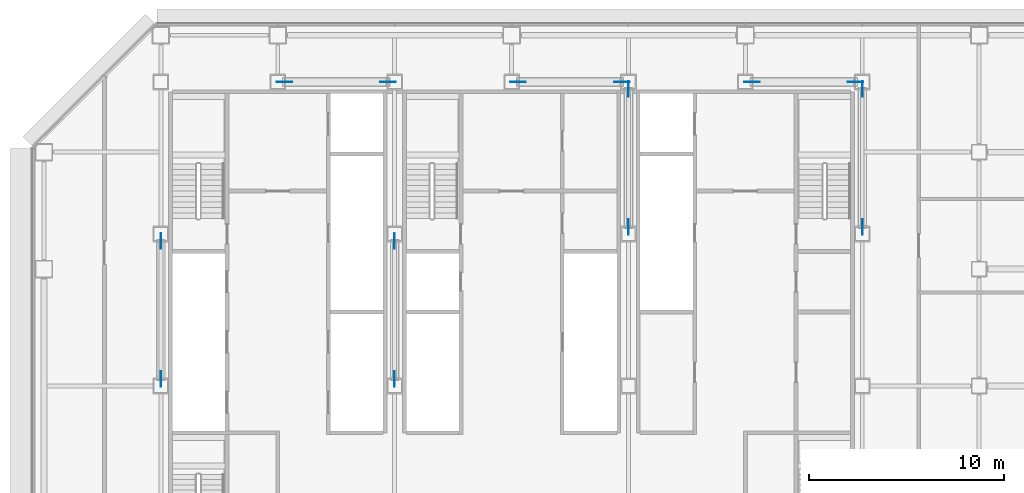
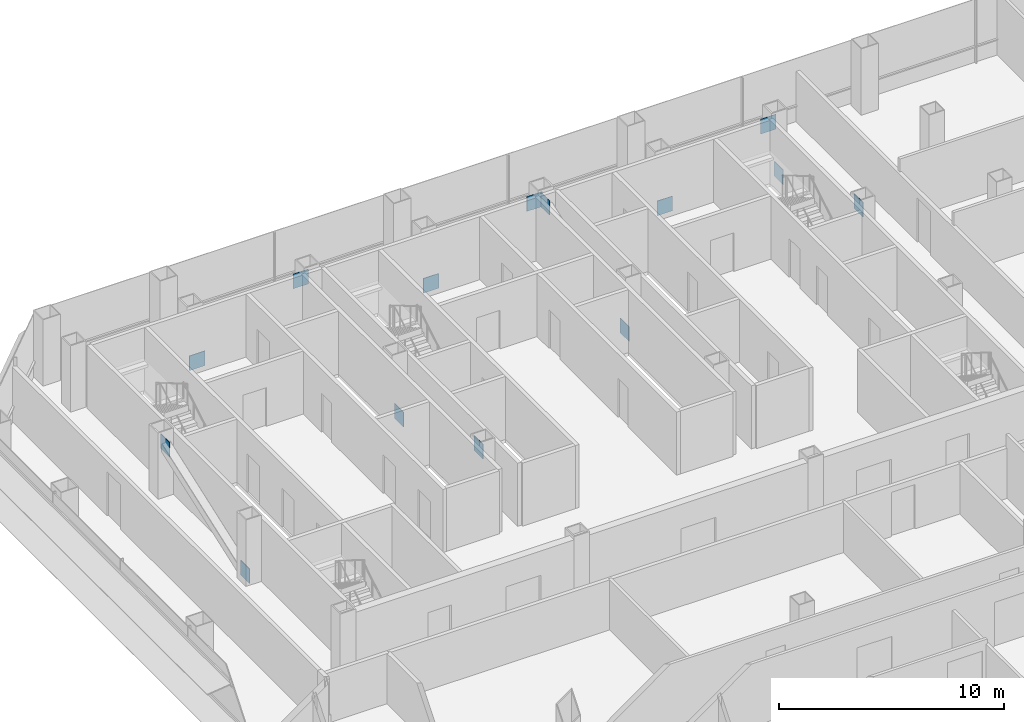
# One storey, part 25 of 27: 14 discrete accessories.
"""IFC4 building model written with IfcOpenShell, lengths in metres."""

from ifc_helpers import new_model, si_unit, direction, frame, origin, origin_2d, place, context, subcontext, project, spatial, rectangle, extrude, material, layer, layer_set, type_object, element, save


model = new_model("IFC4")

# Units and contexts
model_context = context("Model", 3, precision=1e-05, world=origin(), true_north=direction((0.0, 1.0)))
body_context = subcontext(model_context, "Body", "Model", "MODEL_VIEW")
ifc_project = project(units=[si_unit("LENGTHUNIT", "METRE"), si_unit("AREAUNIT", "SQUARE_METRE"), si_unit("VOLUMEUNIT", "CUBIC_METRE"), si_unit("PLANEANGLEUNIT", "RADIAN"), si_unit("MASSUNIT", "GRAM", prefix="KILO")], contexts=[model_context])

# Site, building, storey
site_placement = place(None, origin())
site = spatial("IfcSite", under=ifc_project, at=site_placement, CompositionType="ELEMENT")
building_placement = place(site_placement, origin())
building = spatial("IfcBuilding", under=site, at=building_placement, Name="Sorahane Residences", CompositionType="ELEMENT")
storey_placement = place(building_placement, frame((0.0, 0.0, 49.800048828125)))
storey = spatial("IfcBuildingStorey", under=building, at=storey_placement, Name="L08", CompositionType="ELEMENT", Elevation=49.800048828125)

# Discrete accessories
ifc_material = material(Name="Steel Q355B", Category="steel")
ifc_layer = layer(ifc_material, 0.02490234375)
ifc_layer_set = layer_set([ifc_layer], Name="Node plate Steel Q355B 25")
discrete_accessory_type = type_object("IfcDiscreteAccessoryType", Name="Node plate Steel Q355B 25", PredefinedType="BRACKET", material=ifc_layer_set)
for number, where, z_axis, x_axis, name in (
    (1, (6.0, 30.354248046875, -0.19140625), (0.0, 0.0, 1.0), (0.0, 1.0, 0.0), "Node plate L08 br"),
    (2, (6.0, 37.44580078125, 2.361328125), (0.0, 0.0, 1.0), (0.0, 1.0, 0.0), "Node plate L08 br"),
    (3, (18.0, 37.44580078125, -0.19140625), (0.0, 0.0, 1.0), (0.0, 1.0, 0.0), "Node plate L08 br"),
    (4, (18.0, 30.354248046875, 2.361328125), (0.0, 0.0, 1.0), (0.0, 1.0, 0.0), "Node plate L08 br"),
    (5, (30.0, 38.154296875, -0.19140625), (0.0, 0.0, 1.0), (0.0, 1.0, 0.0), "Node plate L08 br"),
    (6, (30.0, 45.24560546875, 2.361328125), (0.0, 0.0, 1.0), (0.0, 1.0, 0.0), "Node plate L08 br"),
    (7, (42.0, 45.24560546875, -0.19140625), (0.0, 0.0, 1.0), (0.0, 1.0, 0.0), "Node plate L08 br"),
    (8, (42.0, 38.154296875, 2.361328125), (0.0, 0.0, 1.0), (0.0, 1.0, 0.0), "Node plate L08 br"),
    (9, (12.341064453125, 45.60009765625, -0.20361328125), (0.0, 0.0, 1.0), (1.0, 0.0, 0.0), "Node plate L08 br"),
    (10, (24.341064453125, 45.60009765625, -0.20361328125), (0.0, 0.0, 1.0), (1.0, 0.0, 0.0), "Node plate L08 br"),
    (11, (36.341064453125, 45.60009765625, -0.20361328125), (0.0, 0.0, 1.0), (1.0, 0.0, 0.0), "Node plate L08 br"),
    (12, (17.658935546875, 45.60009765625, 2.37353515625), (0.0, 0.0, 1.0), (1.0, 0.0, 0.0), "Node plate L08 br"),
    (13, (29.658935546875, 45.60009765625, 2.37353515625), (0.0, 0.0, 1.0), (1.0, 0.0, 0.0), "Node plate L08 br"),
    (14, (41.658935546875, 45.60009765625, 2.37353515625), (0.0, 0.0, 1.0), (1.0, 0.0, 0.0), "Node plate L08 br"),
):
    element("IfcDiscreteAccessory", number, at=place(storey_placement, frame(where, z_axis=z_axis, x_axis=x_axis)), inside=storey, type_object=discrete_accessory_type, Name=name, PredefinedType="BRACKET", context=body_context, shape_type="SweptSolid", body=[
        extrude(rectangle(XDim=0.800048828125, YDim=0.02490234375, at=origin_2d()), origin(), (0.0, 0.0, 1.0), 0.800048828125),
    ])

save(model, "model.ifc")
